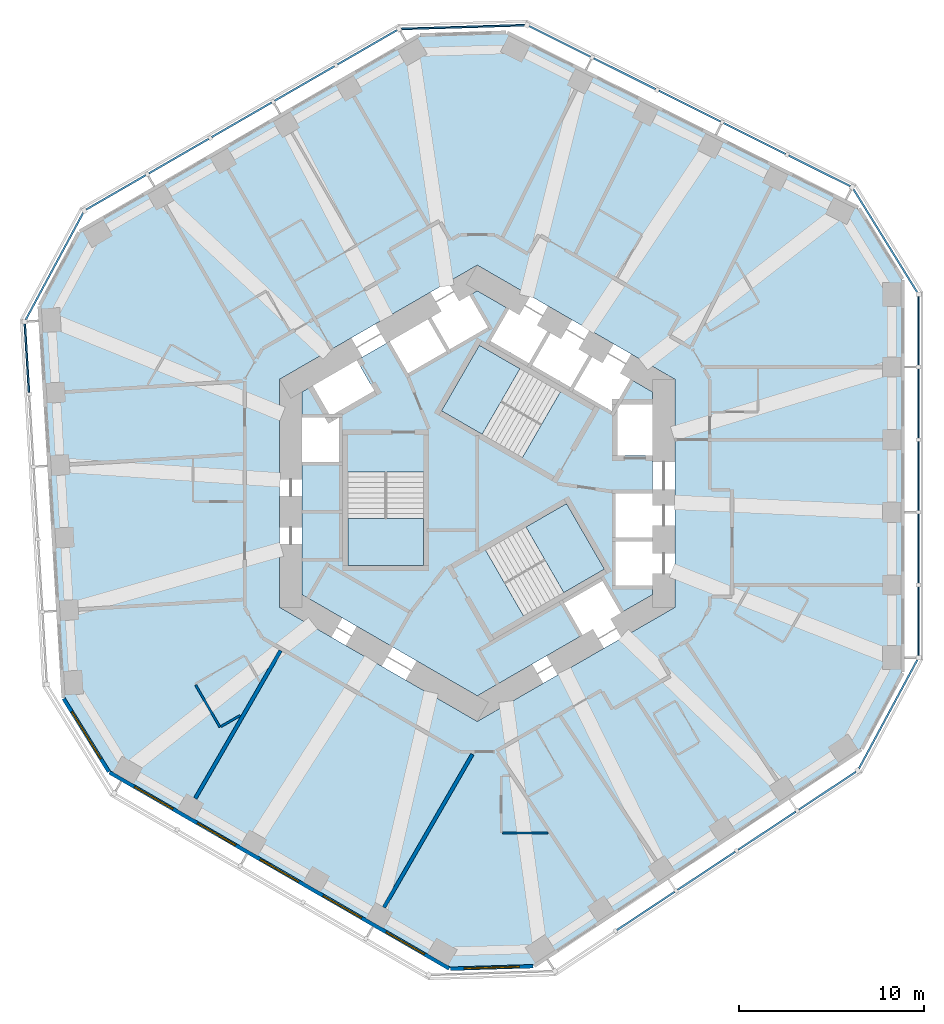
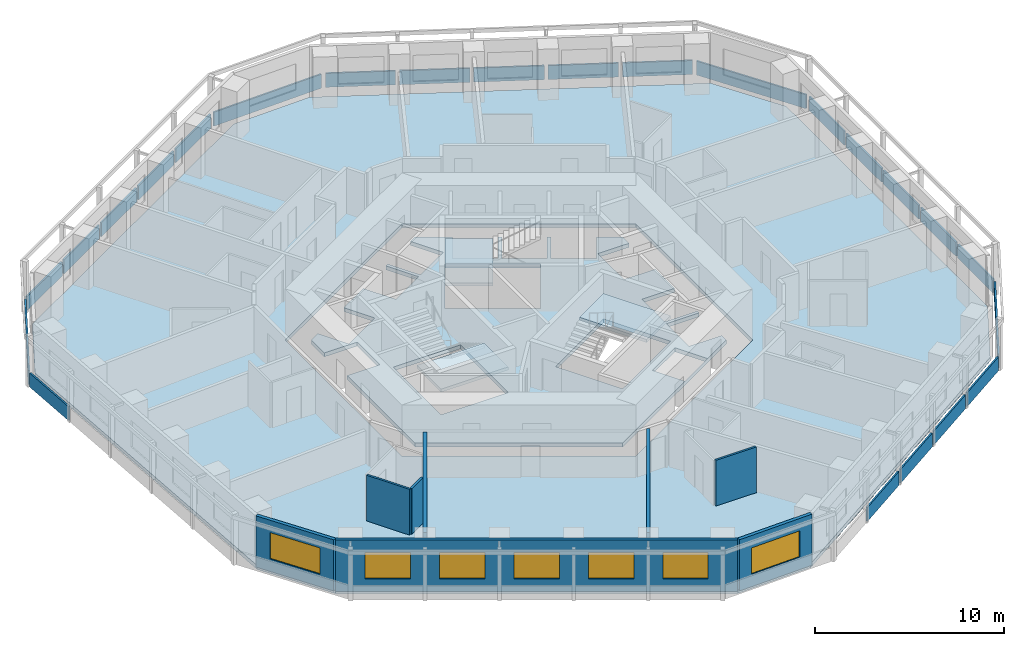
# One storey, part 3 of 12: 24 plates, 8 walls, 7 windows, 5 slabs, 7 openings, 12 elements without a shape of their own.
"""IFC4 building model written with IfcOpenShell, lengths in metres."""

from ifc_helpers import new_model, si_unit, direction, frame, frame_2d, origin, origin_2d, place, context, subcontext, project, spatial, polyline, rectangle, outline, extrude, material, layer, layer_set, type_object, element, fill, aggregate, save


model = new_model("IFC4")

# Units and contexts
model_context = context("Model", 3, precision=1e-05, world=origin(), true_north=direction((0.0, 1.0)))
body_context = subcontext(model_context, "Body", "Model", "MODEL_VIEW")
ifc_project = project(units=[si_unit("LENGTHUNIT", "METRE"), si_unit("AREAUNIT", "SQUARE_METRE"), si_unit("VOLUMEUNIT", "CUBIC_METRE"), si_unit("PLANEANGLEUNIT", "RADIAN"), si_unit("MASSUNIT", "GRAM", prefix="KILO")], contexts=[model_context])

# Site, building, storey
site_placement = place(None, origin())
site = spatial("IfcSite", under=ifc_project, at=site_placement, CompositionType="ELEMENT")
building_placement = place(site_placement, origin())
building = spatial("IfcBuilding", under=site, at=building_placement, Name="Vanh Sen Convention Tower", CompositionType="ELEMENT")
storey_placement = place(building_placement, frame((0.0, 0.0, 116.60009765625)))
storey = spatial("IfcBuildingStorey", under=building, at=storey_placement, Name="L28", CompositionType="ELEMENT", Elevation=116.60009765625)

# Slabs
ifc_material_1 = material(Name="Concrete C40/50", Category="concrete")
ifc_layer_1 = layer(ifc_material_1, 0.25)
ifc_layer_set_1 = layer_set([ifc_layer_1], Name="Concrete C40/50")
slab_type_1 = type_object("IfcSlabType", Name="Core slab 250", PredefinedType="FLOOR", material=ifc_layer_set_1)
slab_1_placement = place(storey_placement, frame((0.0, 0.0, -0.25)))
element("IfcSlab", 1, at=slab_1_placement, inside=storey, type_object=slab_type_1, Name="Core slab L28", PredefinedType="FLOOR", context=body_context, shape_type="SweptSolid", body=[
    extrude(outline(polyline([(9.5, 5.48486328125), (9.5, 4.800048828125), (7.60009765625, 4.800048828125), (7.60009765625, 2.050048828125), (9.5, 2.050048828125), (9.5, 0.0), (7.5, 0.0), (7.5, -2.39990234375), (9.5, -2.39990234375), (9.5, -2.60009765625), (7.5, -2.60009765625), (7.5, -5.0), (9.5, -5.0), (9.5, -5.48486328125), (0.0, -10.9697265625), (-9.5, -5.48486328125), (-9.5, 1.699951171875), (-7.5, 1.699951171875), (-7.5, 4.10009765625), (-9.5, 4.10009765625), (-9.5, 5.48486328125), (-8.906982421875, 5.8271484375), (-7.956787109375, 4.181884765625), (-5.575439453125, 5.556884765625), (-6.525390625, 7.2021484375), (-4.75, 8.227294921875), (-3.75, 6.4951171875), (-1.67138671875, 7.6953125), (-2.67138671875, 9.42724609375), (-2.498291015625, 9.527099609375), (-1.498291015625, 7.795166015625), (0.580078125, 8.9951171875), (-0.419921875, 10.727294921875), (0.0, 10.9697265625), (1.718994140625, 9.977294921875), (0.718994140625, 8.2451171875), (2.79736328125, 7.045166015625), (3.79736328125, 8.777099609375), (3.970703125, 8.67724609375), (2.970703125, 6.9453125), (5.049072265625, 5.7451171875), (6.049072265625, 7.477294921875), (6.22216796875, 7.377197265625), (5.22216796875, 5.645263671875), (7.30078125, 4.4453125), (8.30078125, 6.17724609375), (9.5, 5.48486328125)]), holes=[polyline([(-7.0, 3.14990234375), (-7.0, -3.909912109375), (-2.89990234375, -3.909912109375), (-2.89990234375, 3.14990234375), (-2.89990234375, 1.1494140625), (-7.0, 1.1494140625), (-7.0, 3.14990234375)]), polyline([(4.495361328125, 5.487548828125), (6.22802734375, 4.4873046875), (0.11376953125, 8.01708984375), (-1.936279296875, 4.466552734375), (2.4453125, 1.936767578125), (4.495361328125, 5.487548828125)]), polyline([(7.781005859375, -6.477294921875), (6.781005859375, -4.7451171875), (4.70263671875, -5.9453125), (5.70263671875, -7.67724609375), (7.781005859375, -6.477294921875)]), polyline([(0.45458984375, -3.086181640625), (2.504638671875, -6.63671875), (6.88623046875, -4.107177734375), (4.836181640625, -0.556396484375), (-1.278076171875, -4.08642578125), (0.45458984375, -3.086181640625)])]), origin(), (0.0, 0.0, 1.0), 0.25),
])
ifc_layer_2 = layer(ifc_material_1, 0.25)
ifc_layer_set_2 = layer_set([ifc_layer_2], Name="Concrete C40/50")
slab_type_2 = type_object("IfcSlabType", Name="Floor slab 250 REI 120", PredefinedType="FLOOR", material=ifc_layer_set_2)
slab_2_placement = place(storey_placement, frame((0.0, 0.0, -0.25)))
element("IfcSlab", 2, at=slab_2_placement, inside=storey, type_object=slab_type_2, Name="Floor slab L28 tower", PredefinedType="FLOOR", context=body_context, shape_type="SweptSolid", body=[
    extrude(outline(polyline([(23.0, -9.69921875), (23.0, 11.57373046875), (20.620361328125, 15.419189453125), (1.58251953125, 24.911376953125), (-3.10009765625, 24.768310546875), (-21.523193359375, 14.131591796875), (-23.663818359375, 10.14794921875), (-22.364990234375, -11.085205078125), (-19.89990234375, -15.069091796875), (-1.476806640625, -25.705322265625), (3.04345703125, -25.5673828125), (20.78271484375, -13.825927734375), (23.0, -9.69921875)]), holes=[polyline([(0.0, 12.355224609375), (-10.699951171875, 6.177490234375), (-10.699951171875, -6.177490234375), (0.0, -12.355224609375), (10.699951171875, -6.177490234375), (10.699951171875, 6.177490234375), (0.0, 12.355224609375)])]), origin(), (0.0, 0.0, 1.0), 0.25),
])

# Curtain wall, plates
ifc_material_2 = material(Name="Concrete C50/60", Category="concrete")
curtain_wall_type = type_object("IfcCurtainWallType", Name="Outer skin hotel zone", PredefinedType="NOTDEFINED", material=ifc_material_2)
curtain_wall_1_placement = place(storey_placement, origin())
curtain_wall_1 = element("IfcCurtainWall", 3, at=curtain_wall_1_placement, inside=storey, type_object=curtain_wall_type, Name="OUTER SKIN E L28", PredefinedType="NOTDEFINED")
ifc_layer_3 = layer(ifc_material_2, 0.10009765625)
ifc_layer_set_3 = layer_set([ifc_layer_3], Name="Concrete C50/60")
plate_type = type_object("IfcPlateType", Name="Outer skin precast screen panel 100", PredefinedType="CURTAIN_PANEL", material=ifc_layer_set_3)
plate_1_placement = place(storey_placement, frame((23.89990234375, -6.91943359375, 0.0), z_axis=(0.0, 0.0, 1.0), x_axis=(0.0, 1.0, 0.0)))
plate_1 = element("IfcPlate", 4, at=plate_1_placement, type_object=plate_type, Name="OUTER SKIN screen panel E-1", PredefinedType="CURTAIN_PANEL", context=body_context, shape_type="SweptSolid", body=[
    extrude(rectangle(XDim=3.709716796875, YDim=0.10009765625, at=origin_2d()), origin(), (0.0, 0.0, 1.0), 0.89990234375),
])
plate_2_placement = place(storey_placement, frame((23.89990234375, -2.997314453125, 0.0), z_axis=(0.0, 0.0, 1.0), x_axis=(0.0, 1.0, 0.0)))
plate_2 = element("IfcPlate", 5, at=plate_2_placement, type_object=plate_type, Name="OUTER SKIN screen panel E-2", PredefinedType="CURTAIN_PANEL", context=body_context, shape_type="SweptSolid", body=[
    extrude(rectangle(XDim=3.734619140625, YDim=0.10009765625, at=origin_2d()), origin(), (0.0, 0.0, 1.0), 0.89990234375),
])
plate_3_placement = place(storey_placement, frame((23.89990234375, 0.937255859375, 0.0), z_axis=(0.0, 0.0, 1.0), x_axis=(0.0, 1.0, 0.0)))
plate_3 = element("IfcPlate", 6, at=plate_3_placement, type_object=plate_type, Name="OUTER SKIN screen panel E-3", PredefinedType="CURTAIN_PANEL", context=body_context, shape_type="SweptSolid", body=[
    extrude(rectangle(XDim=3.734619140625, YDim=0.10009765625, at=origin_2d()), origin(), (0.0, 0.0, 1.0), 0.89990234375),
])
plate_4_placement = place(storey_placement, frame((23.89990234375, 4.871826171875, 0.0), z_axis=(0.0, 0.0, 1.0), x_axis=(0.0, 1.0, 0.0)))
plate_4 = element("IfcPlate", 7, at=plate_4_placement, type_object=plate_type, Name="OUTER SKIN screen panel E-4", PredefinedType="CURTAIN_PANEL", context=body_context, shape_type="SweptSolid", body=[
    extrude(rectangle(XDim=3.734619140625, YDim=0.10009765625, at=origin_2d()), origin(), (0.0, 0.0, 1.0), 0.89990234375),
])
plate_5_placement = place(storey_placement, frame((23.89990234375, 8.7939453125, 0.0), z_axis=(0.0, 0.0, 1.0), x_axis=(0.0, 1.0, 0.0)))
plate_5 = element("IfcPlate", 8, at=plate_5_placement, type_object=plate_type, Name="OUTER SKIN screen panel E-5", PredefinedType="CURTAIN_PANEL", context=body_context, shape_type="SweptSolid", body=[
    extrude(rectangle(XDim=3.709716796875, YDim=0.10009765625, at=origin_2d()), origin(), (0.0, 0.0, 1.0), 0.89990234375),
])
aggregate(curtain_wall_1, [plate_1, plate_2, plate_3, plate_4, plate_5])

# Curtain wall, plate
curtain_wall_2_placement = place(storey_placement, origin())
curtain_wall_2 = element("IfcCurtainWall", 9, at=curtain_wall_2_placement, inside=storey, type_object=curtain_wall_type, Name="OUTER SKIN CH1 L28", PredefinedType="NOTDEFINED")
plate_6_placement = place(storey_placement, frame((22.102783203125, 13.677734375, 0.0), z_axis=(0.0, 0.0, 1.0), x_axis=(-0.526212439506, 0.850353143411, 0.0)))
plate_6 = element("IfcPlate", 10, at=plate_6_placement, type_object=plate_type, Name="OUTER SKIN screen panel CH1-1", PredefinedType="CURTAIN_PANEL", context=body_context, shape_type="SweptSolid", body=[
    extrude(rectangle(XDim=6.580078125, YDim=0.10009765625, at=origin_2d()), origin(), (0.0, 0.0, 1.0), 0.89990234375),
])
aggregate(curtain_wall_2, [plate_6])

# Curtain wall, plates
curtain_wall_3_placement = place(storey_placement, origin())
curtain_wall_3 = element("IfcCurtainWall", 11, at=curtain_wall_3_placement, inside=storey, type_object=curtain_wall_type, Name="OUTER SKIN NE L28", PredefinedType="NOTDEFINED")
plate_7_placement = place(storey_placement, frame((18.5341796875, 17.465087890625, 0.0), z_axis=(0.0, 0.0, 1.0), x_axis=(-0.894935140363, 0.446196251154, 0.0)))
plate_7 = element("IfcPlate", 12, at=plate_7_placement, type_object=plate_type, Name="OUTER SKIN screen panel NE-1", PredefinedType="CURTAIN_PANEL", context=body_context, shape_type="SweptSolid", body=[
    extrude(rectangle(XDim=3.709716796875, YDim=0.10009765625, at=origin_2d()), origin(), (0.0, 0.0, 1.0), 0.89990234375),
])
plate_8_placement = place(storey_placement, frame((15.024169921875, 19.215087890625, 0.0), z_axis=(0.0, 0.0, 1.0), x_axis=(-0.894935140363, 0.446196251154, 0.0)))
plate_8 = element("IfcPlate", 13, at=plate_8_placement, type_object=plate_type, Name="OUTER SKIN screen panel NE-2", PredefinedType="CURTAIN_PANEL", context=body_context, shape_type="SweptSolid", body=[
    extrude(rectangle(XDim=3.734619140625, YDim=0.10009765625, at=origin_2d()), origin(), (0.0, 0.0, 1.0), 0.89990234375),
])
plate_9_placement = place(storey_placement, frame((11.5029296875, 20.970703125, 0.0), z_axis=(0.0, 0.0, 1.0), x_axis=(-0.894935140363, 0.446196251154, 0.0)))
plate_9 = element("IfcPlate", 14, at=plate_9_placement, type_object=plate_type, Name="OUTER SKIN screen panel NE-3", PredefinedType="CURTAIN_PANEL", context=body_context, shape_type="SweptSolid", body=[
    extrude(rectangle(XDim=3.734619140625, YDim=0.10009765625, at=origin_2d()), origin(), (0.0, 0.0, 1.0), 0.89990234375),
])
plate_10_placement = place(storey_placement, frame((7.981689453125, 22.726318359375, 0.0), z_axis=(0.0, 0.0, 1.0), x_axis=(-0.894935140363, 0.446196251154, 0.0)))
plate_10 = element("IfcPlate", 15, at=plate_10_placement, type_object=plate_type, Name="OUTER SKIN screen panel NE-4", PredefinedType="CURTAIN_PANEL", context=body_context, shape_type="SweptSolid", body=[
    extrude(rectangle(XDim=3.734619140625, YDim=0.10009765625, at=origin_2d()), origin(), (0.0, 0.0, 1.0), 0.89990234375),
])
plate_11_placement = place(storey_placement, frame((4.4716796875, 24.476318359375, 0.0), z_axis=(0.0, 0.0, 1.0), x_axis=(-0.894935140363, 0.446196251154, 0.0)))
plate_11 = element("IfcPlate", 16, at=plate_11_placement, type_object=plate_type, Name="OUTER SKIN screen panel NE-5", PredefinedType="CURTAIN_PANEL", context=body_context, shape_type="SweptSolid", body=[
    extrude(rectangle(XDim=3.709716796875, YDim=0.10009765625, at=origin_2d()), origin(), (0.0, 0.0, 1.0), 0.89990234375),
])
aggregate(curtain_wall_3, [plate_7, plate_8, plate_9, plate_10, plate_11])

# Curtain wall, plate
curtain_wall_4_placement = place(storey_placement, origin())
curtain_wall_4 = element("IfcCurtainWall", 17, at=curtain_wall_4_placement, inside=storey, type_object=curtain_wall_type, Name="OUTER SKIN CH2 L28", PredefinedType="NOTDEFINED")
plate_12_placement = place(storey_placement, frame((-0.771484375, 25.253662109375, 0.0), z_axis=(0.0, 0.0, 1.0), x_axis=(-0.999533644135, -0.030536768695, 0.0)))
plate_12 = element("IfcPlate", 18, at=plate_12_placement, type_object=plate_type, Name="OUTER SKIN screen panel CH2-1", PredefinedType="CURTAIN_PANEL", context=body_context, shape_type="SweptSolid", body=[
    extrude(rectangle(XDim=6.696044921875, YDim=0.10009765625, at=origin_2d()), origin(), (0.0, 0.0, 1.0), 0.89990234375),
])
aggregate(curtain_wall_4, [plate_12])

# Curtain wall, plates
curtain_wall_5_placement = place(storey_placement, origin())
curtain_wall_5 = element("IfcCurtainWall", 19, at=curtain_wall_5_placement, inside=storey, type_object=curtain_wall_type, Name="OUTER SKIN NW L28", PredefinedType="NOTDEFINED")
plate_13_placement = place(storey_placement, frame((-5.95751953125, 24.15771484375, 0.0), z_axis=(0.0, 0.0, 1.0), x_axis=(-0.866028021766, -0.499995465495, 0.0)))
plate_13 = element("IfcPlate", 20, at=plate_13_placement, type_object=plate_type, Name="OUTER SKIN screen panel NW-1", PredefinedType="CURTAIN_PANEL", context=body_context, shape_type="SweptSolid", body=[
    extrude(rectangle(XDim=3.709716796875, YDim=0.10009765625, at=origin_2d()), origin(), (0.0, 0.0, 1.0), 0.89990234375),
])
plate_14_placement = place(storey_placement, frame((-9.354248046875, 22.19677734375, 0.0), z_axis=(0.0, 0.0, 1.0), x_axis=(-0.866021040428, -0.500007557478, 0.0)))
plate_14 = element("IfcPlate", 21, at=plate_14_placement, type_object=plate_type, Name="OUTER SKIN screen panel NW-2", PredefinedType="CURTAIN_PANEL", context=body_context, shape_type="SweptSolid", body=[
    extrude(rectangle(XDim=3.734619140625, YDim=0.10009765625, at=origin_2d()), origin(), (0.0, 0.0, 1.0), 0.89990234375),
])
plate_15_placement = place(storey_placement, frame((-12.76171875, 20.2294921875, 0.0), z_axis=(0.0, 0.0, 1.0), x_axis=(-0.866028021766, -0.499995465495, 0.0)))
plate_15 = element("IfcPlate", 22, at=plate_15_placement, type_object=plate_type, Name="OUTER SKIN screen panel NW-3", PredefinedType="CURTAIN_PANEL", context=body_context, shape_type="SweptSolid", body=[
    extrude(rectangle(XDim=3.734619140625, YDim=0.10009765625, at=origin_2d()), origin(), (0.0, 0.0, 1.0), 0.89990234375),
])
plate_16_placement = place(storey_placement, frame((-16.169189453125, 18.26220703125, 0.0), z_axis=(0.0, 0.0, 1.0), x_axis=(-0.866028021766, -0.499995465495, 0.0)))
plate_16 = element("IfcPlate", 23, at=plate_16_placement, type_object=plate_type, Name="OUTER SKIN screen panel NW-4", PredefinedType="CURTAIN_PANEL", context=body_context, shape_type="SweptSolid", body=[
    extrude(rectangle(XDim=3.734619140625, YDim=0.10009765625, at=origin_2d()), origin(), (0.0, 0.0, 1.0), 0.89990234375),
])
plate_17_placement = place(storey_placement, frame((-19.56591796875, 16.301025390625, 0.0), z_axis=(0.0, 0.0, 1.0), x_axis=(-0.866021040428, -0.500007557478, 0.0)))
plate_17 = element("IfcPlate", 24, at=plate_17_placement, type_object=plate_type, Name="OUTER SKIN screen panel NW-5", PredefinedType="CURTAIN_PANEL", context=body_context, shape_type="SweptSolid", body=[
    extrude(rectangle(XDim=3.70947265625, YDim=0.10009765625, at=origin_2d()), origin(), (0.0, 0.0, 1.0), 0.89990234375),
])
aggregate(curtain_wall_5, [plate_13, plate_14, plate_15, plate_16, plate_17])

# Curtain wall, plate
curtain_wall_6_placement = place(storey_placement, origin())
curtain_wall_6 = element("IfcCurtainWall", 25, at=curtain_wall_6_placement, inside=storey, type_object=curtain_wall_type, Name="OUTER SKIN CH3 L28", PredefinedType="NOTDEFINED")
plate_18_placement = place(storey_placement, frame((-22.896728515625, 12.302978515625, 0.0), z_axis=(0.0, 0.0, 1.0), x_axis=(-0.47331812974, -0.880891564303, 0.0)))
plate_18 = element("IfcPlate", 26, at=plate_18_placement, type_object=plate_type, Name="OUTER SKIN screen panel CH3-1", PredefinedType="CURTAIN_PANEL", context=body_context, shape_type="SweptSolid", body=[
    extrude(rectangle(XDim=6.580078125, YDim=0.10009765625, at=origin_2d()), origin(), (0.0, 0.0, 1.0), 0.89990234375),
])
aggregate(curtain_wall_6, [plate_18])

curtain_wall_7_placement = place(storey_placement, origin())
curtain_wall_7 = element("IfcCurtainWall", 27, at=curtain_wall_7_placement, inside=storey, type_object=curtain_wall_type, Name="OUTER SKIN W L28", PredefinedType="NOTDEFINED")
plate_19_placement = place(storey_placement, frame((-24.39208984375, 7.318603515625, 0.0), z_axis=(0.0, 0.0, 1.0), x_axis=(0.061046797461, -0.99813490497, 0.0)))
plate_19 = element("IfcPlate", 28, at=plate_19_placement, type_object=plate_type, Name="OUTER SKIN screen panel W-1", PredefinedType="CURTAIN_PANEL", context=body_context, shape_type="SweptSolid", body=[
    extrude(rectangle(XDim=3.709716796875, YDim=0.10009765625, at=origin_2d()), origin(), (0.0, 0.0, 1.0), 0.89990234375),
])
aggregate(curtain_wall_7, [plate_19])

# Curtain wall, plates
curtain_wall_8_placement = place(storey_placement, origin())
curtain_wall_8 = element("IfcCurtainWall", 29, at=curtain_wall_8_placement, inside=storey, type_object=curtain_wall_type, Name="OUTER SKIN SE L28", PredefinedType="NOTDEFINED")
plate_20_placement = place(storey_placement, frame((9.128662109375, -22.618896484375, 0.0), z_axis=(0.0, 0.0, 1.0), x_axis=(0.833891601892, 0.55192825285, 0.0)))
plate_20 = element("IfcPlate", 30, at=plate_20_placement, type_object=plate_type, Name="OUTER SKIN screen panel SE-2", PredefinedType="CURTAIN_PANEL", context=body_context, shape_type="SweptSolid", body=[
    extrude(rectangle(XDim=3.734619140625, YDim=0.10009765625, at=origin_2d()), origin(), (0.0, 0.0, 1.0), 0.89990234375),
])
plate_21_placement = place(storey_placement, frame((12.40966796875, -20.447265625, 0.0), z_axis=(0.0, 0.0, 1.0), x_axis=(0.833880042151, 0.551945717714, 0.0)))
plate_21 = element("IfcPlate", 31, at=plate_21_placement, type_object=plate_type, Name="OUTER SKIN screen panel SE-3", PredefinedType="CURTAIN_PANEL", context=body_context, shape_type="SweptSolid", body=[
    extrude(rectangle(XDim=3.734619140625, YDim=0.10009765625, at=origin_2d()), origin(), (0.0, 0.0, 1.0), 0.89990234375),
])
plate_22_placement = place(storey_placement, frame((15.690673828125, -18.275390625, 0.0), z_axis=(0.0, 0.0, 1.0), x_axis=(0.833891601892, 0.55192825285, 0.0)))
plate_22 = element("IfcPlate", 32, at=plate_22_placement, type_object=plate_type, Name="OUTER SKIN screen panel SE-4", PredefinedType="CURTAIN_PANEL", context=body_context, shape_type="SweptSolid", body=[
    extrude(rectangle(XDim=3.734619140625, YDim=0.10009765625, at=origin_2d()), origin(), (0.0, 0.0, 1.0), 0.89990234375),
])
plate_23_placement = place(storey_placement, frame((18.961181640625, -16.11083984375, 0.0), z_axis=(0.0, 0.0, 1.0), x_axis=(0.833880042151, 0.551945717714, 0.0)))
plate_23 = element("IfcPlate", 33, at=plate_23_placement, type_object=plate_type, Name="OUTER SKIN screen panel SE-5", PredefinedType="CURTAIN_PANEL", context=body_context, shape_type="SweptSolid", body=[
    extrude(rectangle(XDim=3.709716796875, YDim=0.10009765625, at=origin_2d()), origin(), (0.0, 0.0, 1.0), 0.89990234375),
])
aggregate(curtain_wall_8, [plate_20, plate_21, plate_22, plate_23])

# Curtain wall, plate
curtain_wall_9_placement = place(storey_placement, origin())
curtain_wall_9 = element("IfcCurtainWall", 34, at=curtain_wall_9_placement, inside=storey, type_object=curtain_wall_type, Name="OUTER SKIN CH6 L28", PredefinedType="NOTDEFINED")
plate_24_placement = place(storey_placement, frame((22.256103515625, -11.95849609375, 0.0), z_axis=(0.0, 0.0, 1.0), x_axis=(0.473322742071, 0.880889086003, 0.0)))
plate_24 = element("IfcPlate", 35, at=plate_24_placement, type_object=plate_type, Name="OUTER SKIN screen panel CH6-1", PredefinedType="CURTAIN_PANEL", context=body_context, shape_type="SweptSolid", body=[
    extrude(rectangle(XDim=6.6962890625, YDim=0.10009765625, at=origin_2d()), origin(), (0.0, 0.0, 1.0), 0.89990234375),
])
aggregate(curtain_wall_9, [plate_24])

# Stair, slab
ifc_material_3 = material(Name="Concrete C50/60", Category="concrete")
stair_type_1 = type_object("IfcStairType", Name="Exit stair ST1 20 risers at 165.0", PredefinedType="HALF_TURN_STAIR", material=ifc_material_3)
stair_1_placement = place(storey_placement, origin())
stair_1 = element("IfcStair", 36, at=stair_1_placement, inside=storey, type_object=stair_type_1, Name="Exit stair ST1 L28", PredefinedType="HALF_TURN_STAIR")
ifc_layer_4 = layer(ifc_material_1, 0.199951171875)
ifc_layer_set_4 = layer_set([ifc_layer_4], Name="Concrete C40/50")
slab_type_3 = type_object("IfcSlabType", Name="Stair landing 200", PredefinedType="LANDING", material=ifc_layer_set_4)
slab_3_placement = place(storey_placement, frame((0.0, 0.0, 1.449951171875)))
slab_3 = element("IfcSlab", 37, at=slab_3_placement, type_object=slab_type_3, Name="ST1 landing 1", PredefinedType="LANDING", context=body_context, shape_type="SweptSolid", body=[
    extrude(outline(polyline([(2.314208984375, 6.746826171875), (0.11376953125, 8.01708984375), (-1.936279296875, 4.466552734375), (0.26416015625, 3.196044921875), (2.314208984375, 6.746826171875)])), origin(), (0.0, 0.0, 1.0), 0.199951171875),
])
aggregate(stair_1, [slab_3])

stair_type_2 = type_object("IfcStairType", Name="Exit stair ST2 20 risers at 165.0", PredefinedType="HALF_TURN_STAIR", material=ifc_material_3)
stair_2_placement = place(storey_placement, origin())
stair_2 = element("IfcStair", 38, at=stair_2_placement, inside=storey, type_object=stair_type_2, Name="Exit stair ST2 L28", PredefinedType="HALF_TURN_STAIR")
slab_4_placement = place(storey_placement, frame((0.0, 0.0, 1.449951171875)))
slab_4 = element("IfcSlab", 39, at=slab_4_placement, type_object=slab_type_3, Name="ST2 landing 1", PredefinedType="LANDING", context=body_context, shape_type="SweptSolid", body=[
    extrude(outline(polyline([(-7.0, -1.369384765625), (-7.0, -3.909912109375), (-2.89990234375, -3.909912109375), (-2.89990234375, -1.369384765625), (-7.0, -1.369384765625)])), origin(), (0.0, 0.0, 1.0), 0.199951171875),
])
aggregate(stair_2, [slab_4])

stair_type_3 = type_object("IfcStairType", Name="Exit stair ST3 20 risers at 165.0", PredefinedType="HALF_TURN_STAIR", material=ifc_material_3)
stair_3_placement = place(storey_placement, origin())
stair_3 = element("IfcStair", 40, at=stair_3_placement, inside=storey, type_object=stair_type_3, Name="Exit stair ST3 L28", PredefinedType="HALF_TURN_STAIR")
slab_5_placement = place(storey_placement, frame((0.0, 0.0, 1.449951171875)))
slab_5 = element("IfcSlab", 41, at=slab_5_placement, type_object=slab_type_3, Name="ST3 landing 1", PredefinedType="LANDING", context=body_context, shape_type="SweptSolid", body=[
    extrude(outline(polyline([(4.685791015625, -5.37744140625), (6.88623046875, -4.107177734375), (4.836181640625, -0.556396484375), (2.6357421875, -1.826904296875), (4.685791015625, -5.37744140625)])), origin(), (0.0, 0.0, 1.0), 0.199951171875),
])
aggregate(stair_3, [slab_5])

# Walls
ifc_material_4 = material(Name="Moisture-resistant gypsum board on steel studs", Category="steel")
ifc_layer_5 = layer(ifc_material_4, 0.1201171875)
ifc_layer_set_5 = layer_set([ifc_layer_5], Name="Moisture-resistant gypsum board on steel studs")
wall_type_1 = type_object("IfcWallType", Name="Bathroom partition 120", PredefinedType="PARTITIONING", material=ifc_layer_set_5)
wall_1_placement = place(storey_placement, frame((-13.935546875, -12.66455078125, 0.0), z_axis=(0.0, 0.0, 1.0), x_axis=(-0.500007957085, 0.86602080971, 0.0)))
element("IfcWall", 42, at=wall_1_placement, inside=storey, type_object=wall_type_1, Name="Bathroom partition 120", PredefinedType="PARTITIONING", context=body_context, shape_type="SweptSolid", body=[
    extrude(rectangle(XDim=2.64013671875, YDim=0.1201171875, at=frame_2d((1.320068359375, 0.0))), origin(), (0.0, 0.0, 1.0), 2.949951171875),
])
wall_2_placement = place(storey_placement, frame((-12.841552734375, -12.03271484375, 0.0), z_axis=(0.0, 0.0, 1.0), x_axis=(-0.865949042838, -0.500132237721, 0.0)))
element("IfcWall", 43, at=wall_2_placement, inside=storey, type_object=wall_type_1, Name="Bathroom partition 120", PredefinedType="PARTITIONING", context=body_context, shape_type="SweptSolid", body=[
    extrude(rectangle(XDim=1.203369140625, YDim=0.1201171875, at=frame_2d((0.6015625, 0.0))), origin(), (0.0, 0.0, 1.0), 2.949951171875),
])
wall_3_placement = place(storey_placement, frame((3.82763671875, -18.400634765625, 0.0), z_axis=(0.0, 0.0, 1.0), x_axis=(-1.0, 0.0, 0.0)))
element("IfcWall", 44, at=wall_3_placement, inside=storey, type_object=wall_type_1, Name="Bathroom partition 120", PredefinedType="PARTITIONING", context=body_context, shape_type="SweptSolid", body=[
    extrude(rectangle(XDim=2.467529296875, YDim=0.1201171875, at=frame_2d((1.23388671875, 0.0))), origin(), (0.0, 0.0, 1.0), 2.949951171875),
])

# Wall, opening, window
ifc_material_5 = material(Name="Insulated lightweight infill wall")
ifc_layer_6 = layer(ifc_material_5, 0.199951171875)
ifc_layer_set_6 = layer_set([ifc_layer_6], Name="Insulated lightweight infill wall")
wall_type_2 = type_object("IfcWallType", Name="External wall 200", PredefinedType="STANDARD", material=ifc_layer_set_6)
wall_4_placement = place(storey_placement, frame((-22.40087890625, -11.122314453125, 0.0), z_axis=(0.0, 0.0, 1.0), x_axis=(0.526197679914, -0.850362276711, 0.0)))
wall_4 = element("IfcWall", 45, at=wall_4_placement, inside=storey, type_object=wall_type_2, Name="External wall CH4 L28", PredefinedType="STANDARD", context=body_context, shape_type="SweptSolid", body=[
    extrude(rectangle(XDim=4.65966796875, YDim=0.199951171875, at=frame_2d((2.329833984375, 0.0))), origin(), (0.0, 0.0, 1.0), 3.2998046875),
])
opening_1_placement = place(wall_4_placement, frame((0.829833984375, 0.0, 0.800048828125)))
opening_1 = element("IfcOpeningElement", 46, at=opening_1_placement, cuts=wall_4, Name="Opening WH2-CH41", PredefinedType="OPENING", context=body_context, shape_type="SweptSolid", body=[
    extrude(rectangle(XDim=3.0, YDim=1.699951171875, at=frame_2d((1.5, 0.85009765625))), frame((0.0, 0.10986328125, 0.0), z_axis=(0.0, -1.0, 0.0), x_axis=(1.0, 0.0, 0.0)), (0.0, 0.0, 1.0), 0.219970703125),
])
ifc_material_6 = material(Name="Aluminium frame with clear low-emissivity glass", Category="aluminium")
window_type_1 = type_object("IfcWindowType", Name="Hotel window 3000 x 1700", PartitioningType="SINGLE_PANEL", PredefinedType="WINDOW", material=ifc_material_6)
window_1_placement = place(opening_1_placement, origin())
window_1 = element("IfcWindow", 47, at=window_1_placement, inside=storey, type_object=window_type_1, Name="Window WH2-CH41", OverallHeight=1.699951171875, OverallWidth=3.0, PartitioningType="SINGLE_PANEL", PredefinedType="WINDOW", context=body_context, shape_type="SweptSolid", body=[
    extrude(rectangle(XDim=3.0, YDim=1.699951171875, at=frame_2d((1.5, 0.85009765625))), frame((0.0, 0.030029296875, 0.0), z_axis=(0.0, -1.0, 0.0), x_axis=(1.0, 0.0, 0.0)), (0.0, 0.0, 1.0), 0.06005859375),
])
fill(opening_1, window_1)

# Wall, openings, windows
wall_5_placement = place(storey_placement, frame((-19.913818359375, -15.11865234375, 0.0), z_axis=(0.0, 0.0, 1.0), x_axis=(0.866025418898, -0.499999973822, 0.0)))
wall_5 = element("IfcWall", 48, at=wall_5_placement, inside=storey, type_object=wall_type_2, Name="External wall SW L28", PredefinedType="STANDARD", context=body_context, shape_type="SweptSolid", body=[
    extrude(rectangle(XDim=21.24609375, YDim=0.199951171875, at=frame_2d((10.623046875, 0.0))), origin(), (0.0, 0.0, 1.0), 3.2998046875),
])
opening_2_placement = place(wall_5_placement, frame((1.5546875, 0.0, 0.800048828125)))
opening_2 = element("IfcOpeningElement", 49, at=opening_2_placement, cuts=wall_5, Name="Opening WH1-SW1", PredefinedType="OPENING", context=body_context, shape_type="SweptSolid", body=[
    extrude(rectangle(XDim=2.39990234375, YDim=1.699951171875, at=frame_2d((1.199951171875, 0.85009765625))), frame((0.0, 0.10986328125, 0.0), z_axis=(0.0, -1.0, 0.0), x_axis=(1.0, 0.0, 0.0)), (0.0, 0.0, 1.0), 0.219970703125),
])
opening_3_placement = place(wall_5_placement, frame((5.4892578125, 0.0, 0.800048828125)))
opening_3 = element("IfcOpeningElement", 50, at=opening_3_placement, cuts=wall_5, Name="Opening WH1-SW2", PredefinedType="OPENING", context=body_context, shape_type="SweptSolid", body=[
    extrude(rectangle(XDim=2.39990234375, YDim=1.699951171875, at=frame_2d((1.199951171875, 0.85009765625))), frame((0.0, 0.10986328125, 0.0), z_axis=(0.0, -1.0, 0.0), x_axis=(1.0, 0.0, 0.0)), (0.0, 0.0, 1.0), 0.219970703125),
])
opening_4_placement = place(wall_5_placement, frame((9.423828125, 0.0, 0.800048828125)))
opening_4 = element("IfcOpeningElement", 51, at=opening_4_placement, cuts=wall_5, Name="Opening WH1-SW3", PredefinedType="OPENING", context=body_context, shape_type="SweptSolid", body=[
    extrude(rectangle(XDim=2.39990234375, YDim=1.699951171875, at=frame_2d((1.199951171875, 0.85009765625))), frame((0.0, 0.10986328125, 0.0), z_axis=(0.0, -1.0, 0.0), x_axis=(1.0, 0.0, 0.0)), (0.0, 0.0, 1.0), 0.219970703125),
])
opening_5_placement = place(wall_5_placement, frame((13.3583984375, 0.0, 0.800048828125)))
opening_5 = element("IfcOpeningElement", 52, at=opening_5_placement, cuts=wall_5, Name="Opening WH1-SW4", PredefinedType="OPENING", context=body_context, shape_type="SweptSolid", body=[
    extrude(rectangle(XDim=2.39990234375, YDim=1.699951171875, at=frame_2d((1.199951171875, 0.85009765625))), frame((0.0, 0.10986328125, 0.0), z_axis=(0.0, -1.0, 0.0), x_axis=(1.0, 0.0, 0.0)), (0.0, 0.0, 1.0), 0.219970703125),
])
opening_6_placement = place(wall_5_placement, frame((17.293212890625, 0.0, 0.800048828125)))
opening_6 = element("IfcOpeningElement", 53, at=opening_6_placement, cuts=wall_5, Name="Opening WH1-SW5", PredefinedType="OPENING", context=body_context, shape_type="SweptSolid", body=[
    extrude(rectangle(XDim=2.39990234375, YDim=1.699951171875, at=frame_2d((1.199951171875, 0.85009765625))), frame((0.0, 0.10986328125, 0.0), z_axis=(0.0, -1.0, 0.0), x_axis=(1.0, 0.0, 0.0)), (0.0, 0.0, 1.0), 0.219970703125),
])
window_type_2 = type_object("IfcWindowType", Name="Hotel window 2400 x 1700", PartitioningType="SINGLE_PANEL", PredefinedType="WINDOW", material=ifc_material_6)
window_2_placement = place(opening_2_placement, origin())
window_2 = element("IfcWindow", 54, at=window_2_placement, inside=storey, type_object=window_type_2, Name="Window WH1-SW1", OverallHeight=1.699951171875, OverallWidth=2.39990234375, PartitioningType="SINGLE_PANEL", PredefinedType="WINDOW", context=body_context, shape_type="SweptSolid", body=[
    extrude(rectangle(XDim=2.39990234375, YDim=1.699951171875, at=frame_2d((1.199951171875, 0.85009765625))), frame((0.0, 0.030029296875, 0.0), z_axis=(0.0, -1.0, 0.0), x_axis=(1.0, 0.0, 0.0)), (0.0, 0.0, 1.0), 0.06005859375),
])
fill(opening_2, window_2)
window_3_placement = place(opening_3_placement, origin())
window_3 = element("IfcWindow", 55, at=window_3_placement, inside=storey, type_object=window_type_2, Name="Window WH1-SW2", OverallHeight=1.699951171875, OverallWidth=2.39990234375, PartitioningType="SINGLE_PANEL", PredefinedType="WINDOW", context=body_context, shape_type="SweptSolid", body=[
    extrude(rectangle(XDim=2.39990234375, YDim=1.699951171875, at=frame_2d((1.199951171875, 0.85009765625))), frame((0.0, 0.030029296875, 0.0), z_axis=(0.0, -1.0, 0.0), x_axis=(1.0, 0.0, 0.0)), (0.0, 0.0, 1.0), 0.06005859375),
])
fill(opening_3, window_3)
window_4_placement = place(opening_4_placement, origin())
window_4 = element("IfcWindow", 56, at=window_4_placement, inside=storey, type_object=window_type_2, Name="Window WH1-SW3", OverallHeight=1.699951171875, OverallWidth=2.39990234375, PartitioningType="SINGLE_PANEL", PredefinedType="WINDOW", context=body_context, shape_type="SweptSolid", body=[
    extrude(rectangle(XDim=2.39990234375, YDim=1.699951171875, at=frame_2d((1.199951171875, 0.85009765625))), frame((0.0, 0.030029296875, 0.0), z_axis=(0.0, -1.0, 0.0), x_axis=(1.0, 0.0, 0.0)), (0.0, 0.0, 1.0), 0.06005859375),
])
fill(opening_4, window_4)
window_5_placement = place(opening_5_placement, origin())
window_5 = element("IfcWindow", 57, at=window_5_placement, inside=storey, type_object=window_type_2, Name="Window WH1-SW4", OverallHeight=1.699951171875, OverallWidth=2.39990234375, PartitioningType="SINGLE_PANEL", PredefinedType="WINDOW", context=body_context, shape_type="SweptSolid", body=[
    extrude(rectangle(XDim=2.39990234375, YDim=1.699951171875, at=frame_2d((1.199951171875, 0.85009765625))), frame((0.0, 0.030029296875, 0.0), z_axis=(0.0, -1.0, 0.0), x_axis=(1.0, 0.0, 0.0)), (0.0, 0.0, 1.0), 0.06005859375),
])
fill(opening_5, window_5)
window_6_placement = place(opening_6_placement, origin())
window_6 = element("IfcWindow", 58, at=window_6_placement, inside=storey, type_object=window_type_2, Name="Window WH1-SW5", OverallHeight=1.699951171875, OverallWidth=2.39990234375, PartitioningType="SINGLE_PANEL", PredefinedType="WINDOW", context=body_context, shape_type="SweptSolid", body=[
    extrude(rectangle(XDim=2.39990234375, YDim=1.699951171875, at=frame_2d((1.199951171875, 0.85009765625))), frame((0.0, 0.030029296875, 0.0), z_axis=(0.0, -1.0, 0.0), x_axis=(1.0, 0.0, 0.0)), (0.0, 0.0, 1.0), 0.06005859375),
])
fill(opening_6, window_6)

# Wall, opening, window
wall_6_placement = place(storey_placement, frame((-1.461181640625, -25.7548828125, 0.0), z_axis=(0.0, 0.0, 1.0), x_axis=(0.999533823446, 0.030530898895, 0.0)))
wall_6 = element("IfcWall", 59, at=wall_6_placement, inside=storey, type_object=wall_type_2, Name="External wall CH5 L28", PredefinedType="STANDARD", context=body_context, shape_type="SweptSolid", body=[
    extrude(rectangle(XDim=4.494140625, YDim=0.199951171875, at=frame_2d((2.2470703125, 0.0))), origin(), (0.0, 0.0, 1.0), 3.2998046875),
])
opening_7_placement = place(wall_6_placement, frame((0.7470703125, 0.0, 0.800048828125)))
opening_7 = element("IfcOpeningElement", 60, at=opening_7_placement, cuts=wall_6, Name="Opening WH2-CH51", PredefinedType="OPENING", context=body_context, shape_type="SweptSolid", body=[
    extrude(rectangle(XDim=3.0, YDim=1.699951171875, at=frame_2d((1.5, 0.85009765625))), frame((0.0, 0.10986328125, 0.0), z_axis=(0.0, -1.0, 0.0), x_axis=(1.0, 0.0, 0.0)), (0.0, 0.0, 1.0), 0.219970703125),
])
window_7_placement = place(opening_7_placement, origin())
window_7 = element("IfcWindow", 61, at=window_7_placement, inside=storey, type_object=window_type_1, Name="Window WH2-CH51", OverallHeight=1.699951171875, OverallWidth=3.0, PartitioningType="SINGLE_PANEL", PredefinedType="WINDOW", context=body_context, shape_type="SweptSolid", body=[
    extrude(rectangle(XDim=3.0, YDim=1.699951171875, at=frame_2d((1.5, 0.85009765625))), frame((0.0, 0.030029296875, 0.0), z_axis=(0.0, -1.0, 0.0), x_axis=(1.0, 0.0, 0.0)), (0.0, 0.0, 1.0), 0.06005859375),
])
fill(opening_7, window_7)

# Walls
ifc_material_7 = material(Name="Gypsum board on steel studs with mineral wool", Category="steel")
ifc_layer_7 = layer(ifc_material_7, 0.199951171875)
ifc_layer_set_7 = layer_set([ifc_layer_7], Name="Gypsum board on steel studs with mineral wool")
wall_type_3 = type_object("IfcWallType", Name="Hotel party wall 200", PredefinedType="PARTITIONING", material=ifc_layer_set_7)
wall_7_placement = place(storey_placement, frame((-15.2744140625, -16.527099609375, 0.0), z_axis=(0.0, 0.0, 1.0), x_axis=(0.49998823431, 0.866032196602, 0.0)))
element("IfcWall", 62, at=wall_7_placement, inside=storey, type_object=wall_type_3, Name="Hotel party wall 200", PredefinedType="PARTITIONING", context=body_context, shape_type="SweptSolid", body=[
    extrude(rectangle(XDim=9.250244140625, YDim=0.199951171875, at=frame_2d((4.625, 0.0))), origin(), (0.0, 0.0, 1.0), 2.949951171875),
])
wall_8_placement = place(storey_placement, frame((-5.052001953125, -22.4287109375, 0.0), z_axis=(0.0, 0.0, 1.0), x_axis=(0.500004329283, 0.866022904257, 0.0)))
element("IfcWall", 63, at=wall_8_placement, inside=storey, type_object=wall_type_3, Name="Hotel party wall 200", PredefinedType="PARTITIONING", context=body_context, shape_type="SweptSolid", body=[
    extrude(rectangle(XDim=9.57177734375, YDim=0.199951171875, at=frame_2d((4.785888671875, 0.0))), origin(), (0.0, 0.0, 1.0), 2.949951171875),
])

save(model, "model.ifc")
